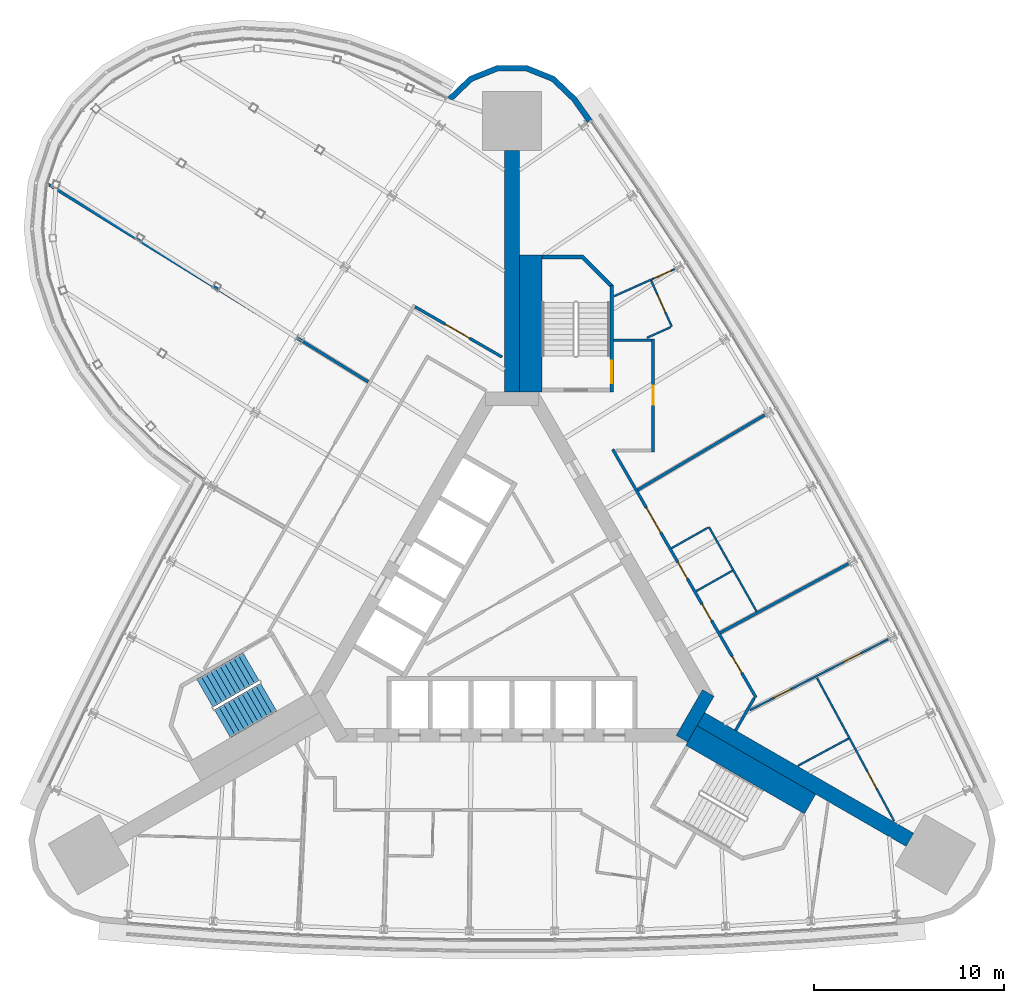
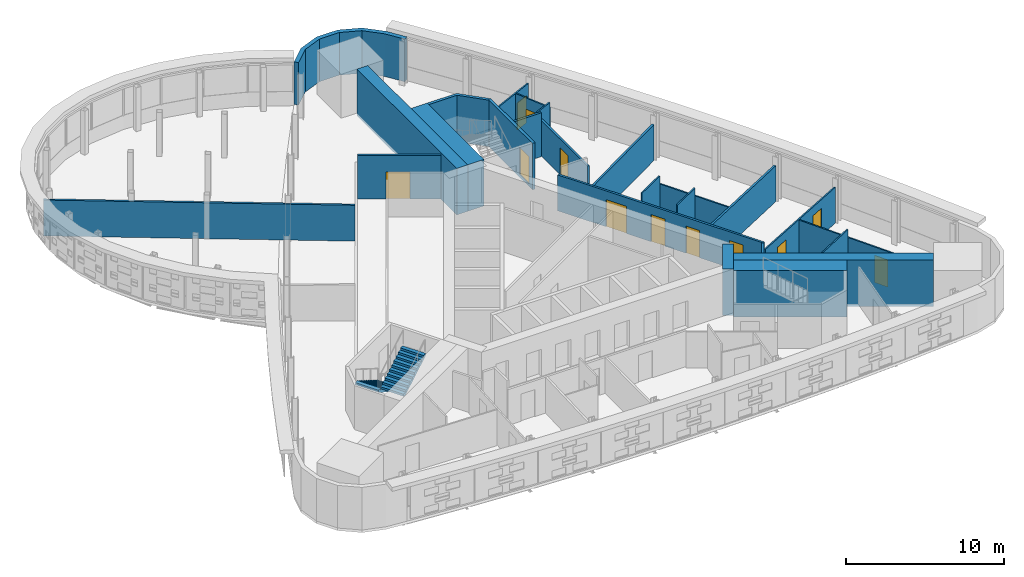
# One storey, part 13 of 17: 25 walls, 12 doors, 2 stair flights, 12 openings, 1 element without a shape of its own.
"""IFC4 building model written with IfcOpenShell, lengths in metres."""

from ifc_helpers import new_model, si_unit, direction, frame, frame_2d, origin, place, context, subcontext, project, spatial, polyline, rectangle, outline, extrude, material, layer, layer_set, type_object, element, fill, aggregate, save


model = new_model("IFC4")

# Units and contexts
model_context = context("Model", 3, precision=1e-05, world=origin(), true_north=direction((0.0, 1.0)))
body_context = subcontext(model_context, "Body", "Model", "MODEL_VIEW")
ifc_project = project(units=[si_unit("LENGTHUNIT", "METRE"), si_unit("AREAUNIT", "SQUARE_METRE"), si_unit("VOLUMEUNIT", "CUBIC_METRE"), si_unit("PLANEANGLEUNIT", "RADIAN"), si_unit("MASSUNIT", "GRAM", prefix="KILO")], contexts=[model_context])

# Site, building, storey
site_placement = place(None, origin())
site = spatial("IfcSite", under=ifc_project, at=site_placement, CompositionType="ELEMENT")
building_placement = place(site_placement, origin())
building = spatial("IfcBuilding", under=site, at=building_placement, Name="Noor Cloister Tower", CompositionType="ELEMENT")
storey_placement = place(building_placement, frame((0.0, 0.0, 95.10009765625)))
storey = spatial("IfcBuildingStorey", under=building, at=storey_placement, Name="L24", CompositionType="ELEMENT", Elevation=95.10009765625)

# Walls
ifc_material_1 = material(Name="Concrete C80/95", Category="concrete")
ifc_layer_1 = layer(ifc_material_1, 0.800048828125)
ifc_layer_set_1 = layer_set([ifc_layer_1], Name="Buttress wall 800 C80/95")
wall_type_1 = type_object("IfcWallType", Name="Buttress wall 800 C80/95", PredefinedType="SHEAR", material=ifc_layer_set_1)
wall_1_placement = place(storey_placement, frame((0.0, 11.456298828125, -0.2001953125), z_axis=(0.0, 0.0, 1.0), x_axis=(0.0, 1.0, 0.0)))
element("IfcWall", 1, at=wall_1_placement, inside=storey, type_object=wall_type_1, Name="Buttress wall N L24", PredefinedType="SHEAR", context=body_context, shape_type="SweptSolid", body=[
    extrude(rectangle(XDim=12.677734375, YDim=0.800048828125, at=frame_2d((6.3388671875, 0.0))), origin(), (0.0, 0.0, 1.0), 3.60009765625),
])
wall_2_placement = place(storey_placement, frame((9.921630859375, -5.728271484375, -0.2001953125), z_axis=(0.0, 0.0, 1.0), x_axis=(0.866029086277, -0.499993621681, 0.0)))
element("IfcWall", 2, at=wall_2_placement, inside=storey, type_object=wall_type_1, Name="Buttress wall SE L24", PredefinedType="SHEAR", context=body_context, shape_type="SweptSolid", body=[
    extrude(rectangle(XDim=12.677490234375, YDim=0.800048828125, at=frame_2d((6.3388671875, 0.0))), origin(), (0.0, 0.0, 1.0), 3.60009765625),
])
ifc_material_2 = material(Name="Concrete C80/95", Category="concrete")
ifc_layer_2 = layer(ifc_material_2, 0.699951171875)
ifc_layer_set_2 = layer_set([ifc_layer_2], Name="Core wall 700 C80/95")
wall_type_2 = type_object("IfcWallType", Name="Core wall 700 C80/95", PredefinedType="SHEAR", material=ifc_layer_set_2)
wall_3_placement = place(storey_placement, frame((8.925537109375, -6.753173828125, -0.2001953125), z_axis=(0.0, 0.0, 1.0), x_axis=(0.500042739161, 0.866000726912, 0.0)))
element("IfcWall", 3, at=wall_3_placement, inside=storey, type_object=wall_type_2, Name="Core wall L24 2", PredefinedType="SHEAR", context=body_context, shape_type="SweptSolid", body=[
    extrude(rectangle(XDim=2.771240234375, YDim=0.699951171875, at=frame_2d((1.3857421875, 0.0))), origin(), (0.0, 0.0, 1.0), 3.60009765625),
])

# Wall, openings, doors
ifc_material_3 = material(Name="Gypsum board partition on steel studs, 150 mm", Category="steel")
ifc_layer_3 = layer(ifc_material_3, 0.14990234375)
ifc_layer_set_3 = layer_set([ifc_layer_3], Name="Flat wall 150")
wall_type_3 = type_object("IfcWallType", Name="Flat wall 150", PredefinedType="PARTITIONING", material=ifc_layer_set_3)
wall_4_placement = place(storey_placement, frame((5.28857421875, 8.4462890625, 0.0), z_axis=(0.0, 0.0, 1.0), x_axis=(0.499996620721, -0.866027354803, 0.0)))
wall_4 = element("IfcWall", 4, at=wall_4_placement, inside=storey, type_object=wall_type_3, Name="Flat wall 150 L24 003", PredefinedType="PARTITIONING", context=body_context, shape_type="SweptSolid", body=[
    extrude(rectangle(XDim=15.056640625, YDim=0.14990234375, at=frame_2d((7.5283203125, 0.0))), origin(), (0.0, 0.0, 1.0), 2.77783203125),
])
opening_1_placement = place(wall_4_placement, frame((12.56640625, 0.0, 0.0)))
opening_1 = element("IfcOpeningElement", 5, at=opening_1_placement, cuts=wall_4, Name="Opening L24-004", PredefinedType="OPENING", context=body_context, shape_type="SweptSolid", body=[
    extrude(rectangle(XDim=1.0, YDim=2.10009765625, at=frame_2d((0.5, 1.050048828125))), frame((0.0, 0.0849609375, 0.0), z_axis=(0.0, -1.0, 0.0), x_axis=(1.0, 0.0, 0.0)), (0.0, 0.0, 1.0), 0.169921875),
])
opening_2_placement = place(wall_4_placement, frame((9.39501953125, 0.0, 0.0)))
opening_2 = element("IfcOpeningElement", 6, at=opening_2_placement, cuts=wall_4, Name="Opening L24-005", PredefinedType="OPENING", context=body_context, shape_type="SweptSolid", body=[
    extrude(rectangle(XDim=1.0, YDim=2.10009765625, at=frame_2d((0.5, 1.050048828125))), frame((0.0, 0.0849609375, 0.0), z_axis=(0.0, -1.0, 0.0), x_axis=(1.0, 0.0, 0.0)), (0.0, 0.0, 1.0), 0.169921875),
])
opening_3_placement = place(wall_4_placement, frame((6.845458984375, 0.0, 0.0)))
opening_3 = element("IfcOpeningElement", 7, at=opening_3_placement, cuts=wall_4, Name="Opening L24-006", PredefinedType="OPENING", context=body_context, shape_type="SweptSolid", body=[
    extrude(rectangle(XDim=1.0, YDim=2.10009765625, at=frame_2d((0.5, 1.050048828125))), frame((0.0, 0.0849609375, 0.0), z_axis=(0.0, -1.0, 0.0), x_axis=(1.0, 0.0, 0.0)), (0.0, 0.0, 1.0), 0.169921875),
])
opening_4_placement = place(wall_4_placement, frame((3.537353515625, 0.0, 0.0)))
opening_4 = element("IfcOpeningElement", 8, at=opening_4_placement, cuts=wall_4, Name="Opening L24-007", PredefinedType="OPENING", context=body_context, shape_type="SweptSolid", body=[
    extrude(rectangle(XDim=1.5, YDim=2.10009765625, at=frame_2d((0.75, 1.050048828125))), frame((0.0, 0.0849609375, 0.0), z_axis=(0.0, -1.0, 0.0), x_axis=(1.0, 0.0, 0.0)), (0.0, 0.0, 1.0), 0.169921875),
])
ifc_material_4 = material(Name="Timber door leaf with steel frame", Category="steel")
door_type_1 = type_object("IfcDoorType", Name="Accessible WC door 1000", OperationType="NOTDEFINED", PredefinedType="DOOR", material=ifc_material_4)
door_1_placement = place(opening_2_placement, origin())
door_1 = element("IfcDoor", 9, at=door_1_placement, inside=storey, type_object=door_type_1, Name="Accessible WC door 1000 L24-005", OperationType="SINGLE_SWING_RIGHT", OverallHeight=2.10009765625, OverallWidth=1.0, PredefinedType="DOOR", context=body_context, shape_type="SweptSolid", body=[
    extrude(rectangle(XDim=1.0, YDim=2.10009765625, at=frame_2d((0.5, 1.050048828125))), frame((0.0, 0.02490234375, 0.0), z_axis=(0.0, -1.0, 0.0), x_axis=(1.0, 0.0, 0.0)), (0.0, 0.0, 1.0), 0.050048828125),
])
fill(opening_2, door_1)
ifc_material_5 = material(Name="Timber door leaf with steel frame", Category="steel")
door_type_2 = type_object("IfcDoorType", Name="Double door 1500 FD60", OperationType="NOTDEFINED", PredefinedType="DOOR", material=ifc_material_5)
door_2_placement = place(opening_4_placement, origin())
door_2 = element("IfcDoor", 10, at=door_2_placement, inside=storey, type_object=door_type_2, Name="Double door 1500 L24-007", OperationType="DOUBLE_DOOR_SINGLE_SWING", OverallHeight=2.10009765625, OverallWidth=1.5, PredefinedType="DOOR", context=body_context, shape_type="SweptSolid", body=[
    extrude(rectangle(XDim=1.5, YDim=2.10009765625, at=frame_2d((0.75, 1.050048828125))), frame((0.0, 0.02490234375, 0.0), z_axis=(0.0, -1.0, 0.0), x_axis=(1.0, 0.0, 0.0)), (0.0, 0.0, 1.0), 0.050048828125),
])
fill(opening_4, door_2)
ifc_material_6 = material(Name="Timber door leaf with steel frame", Category="steel")
door_type_3 = type_object("IfcDoorType", Name="Flat entrance door 1000 FD60S", OperationType="NOTDEFINED", PredefinedType="DOOR", material=ifc_material_6)
door_3_placement = place(opening_1_placement, origin())
door_3 = element("IfcDoor", 11, at=door_3_placement, inside=storey, type_object=door_type_3, Name="Flat entrance door 1000 L24-004", OperationType="SINGLE_SWING_RIGHT", OverallHeight=2.10009765625, OverallWidth=1.0, PredefinedType="DOOR", context=body_context, shape_type="SweptSolid", body=[
    extrude(rectangle(XDim=1.0, YDim=2.10009765625, at=frame_2d((0.5, 1.050048828125))), frame((0.0, 0.02490234375, 0.0), z_axis=(0.0, -1.0, 0.0), x_axis=(1.0, 0.0, 0.0)), (0.0, 0.0, 1.0), 0.050048828125),
])
fill(opening_1, door_3)
ifc_material_7 = material(Name="Timber door leaf with steel frame", Category="steel")
door_type_4 = type_object("IfcDoorType", Name="Interior door 1000 FD60", OperationType="NOTDEFINED", PredefinedType="DOOR", material=ifc_material_7)
door_4_placement = place(opening_3_placement, origin())
door_4 = element("IfcDoor", 12, at=door_4_placement, inside=storey, type_object=door_type_4, Name="Interior door 1000 L24-006", OperationType="SINGLE_SWING_LEFT", OverallHeight=2.10009765625, OverallWidth=1.0, PredefinedType="DOOR", context=body_context, shape_type="SweptSolid", body=[
    extrude(rectangle(XDim=1.0, YDim=2.10009765625, at=frame_2d((0.5, 1.050048828125))), frame((0.0, 0.02490234375, 0.0), z_axis=(0.0, -1.0, 0.0), x_axis=(1.0, 0.0, 0.0)), (0.0, 0.0, 1.0), 0.050048828125),
])
fill(opening_3, door_4)

# Wall, opening, door
wall_5_placement = place(storey_placement, frame((7.41064453125, 14.25634765625, 0.0), z_axis=(0.0, 0.0, 1.0), x_axis=(0.0, -1.0, 0.0)))
wall_5 = element("IfcWall", 13, at=wall_5_placement, inside=storey, type_object=wall_type_3, Name="Flat wall 150 L24 006", PredefinedType="PARTITIONING", context=body_context, shape_type="SweptSolid", body=[
    extrude(rectangle(XDim=5.949951171875, YDim=0.14990234375, at=frame_2d((2.97509765625, 0.0))), origin(), (0.0, 0.0, 1.0), 2.77783203125),
])
opening_5_placement = place(wall_5_placement, frame((2.47509765625, 0.0, 0.0)))
opening_5 = element("IfcOpeningElement", 14, at=opening_5_placement, cuts=wall_5, Name="Opening L24-011", PredefinedType="OPENING", context=body_context, shape_type="SweptSolid", body=[
    extrude(rectangle(XDim=1.0, YDim=2.10009765625, at=frame_2d((0.5, 1.050048828125))), frame((0.0, 0.0849609375, 0.0), z_axis=(0.0, -1.0, 0.0), x_axis=(1.0, 0.0, 0.0)), (0.0, 0.0, 1.0), 0.169921875),
])
door_5_placement = place(opening_5_placement, origin())
door_5 = element("IfcDoor", 15, at=door_5_placement, inside=storey, type_object=door_type_3, Name="Flat entrance door 1000 L24-011", OperationType="SINGLE_SWING_RIGHT", OverallHeight=2.10009765625, OverallWidth=1.0, PredefinedType="DOOR", context=body_context, shape_type="SweptSolid", body=[
    extrude(rectangle(XDim=1.0, YDim=2.10009765625, at=frame_2d((0.5, 1.050048828125))), frame((0.0, 0.02490234375, 0.0), z_axis=(0.0, -1.0, 0.0), x_axis=(1.0, 0.0, 0.0)), (0.0, 0.0, 1.0), 0.050048828125),
])
fill(opening_5, door_5)

wall_6_placement = place(storey_placement, frame((-5.093017578125, 15.93505859375, 0.0), z_axis=(0.0, 0.0, 1.0), x_axis=(0.866033195618, -0.499986503906, 0.0)))
wall_6 = element("IfcWall", 16, at=wall_6_placement, inside=storey, type_object=wall_type_3, Name="Flat wall 150 L24 007", PredefinedType="PARTITIONING", context=body_context, shape_type="SweptSolid", body=[
    extrude(rectangle(XDim=5.282470703125, YDim=0.14990234375, at=frame_2d((2.64111328125, 0.0))), origin(), (0.0, 0.0, 1.0), 3.39990234375),
])
opening_6_placement = place(wall_6_placement, frame((1.816162109375, 0.0, 0.0)))
opening_6 = element("IfcOpeningElement", 17, at=opening_6_placement, cuts=wall_6, Name="Opening L24-012", PredefinedType="OPENING", context=body_context, shape_type="SweptSolid", body=[
    extrude(rectangle(XDim=1.5, YDim=2.10009765625, at=frame_2d((0.75, 1.050048828125))), frame((0.0, 0.0849609375, 0.0), z_axis=(0.0, -1.0, 0.0), x_axis=(1.0, 0.0, 0.0)), (0.0, 0.0, 1.0), 0.169921875),
])
door_6_placement = place(opening_6_placement, origin())
door_6 = element("IfcDoor", 18, at=door_6_placement, inside=storey, type_object=door_type_2, Name="Double door 1500 L24-012", OperationType="DOUBLE_DOOR_SINGLE_SWING", OverallHeight=2.10009765625, OverallWidth=1.5, PredefinedType="DOOR", context=body_context, shape_type="SweptSolid", body=[
    extrude(rectangle(XDim=1.5, YDim=2.10009765625, at=frame_2d((0.75, 1.050048828125))), frame((0.0, 0.02490234375, 0.0), z_axis=(0.0, -1.0, 0.0), x_axis=(1.0, 0.0, 0.0)), (0.0, 0.0, 1.0), 0.050048828125),
])
fill(opening_6, door_6)

# Walls
wall_7_placement = place(storey_placement, frame((5.335693359375, 14.181396484375, 0.0), z_axis=(0.0, 0.0, 1.0), x_axis=(1.0, 0.0, 0.0)))
element("IfcWall", 19, at=wall_7_placement, inside=storey, type_object=wall_type_3, Name="Flat wall 150 L24 009", PredefinedType="PARTITIONING", context=body_context, shape_type="SweptSolid", body=[
    extrude(rectangle(XDim=2.0, YDim=0.14990234375, at=frame_2d((1.0, 0.0))), origin(), (0.0, 0.0, 1.0), 3.39990234375),
])
wall_8_placement = place(storey_placement, frame((11.745361328125, -6.3193359375, 0.0), z_axis=(0.0, 0.0, 1.0), x_axis=(0.500012721296, 0.866018059016, 0.0)))
element("IfcWall", 20, at=wall_8_placement, inside=storey, type_object=wall_type_3, Name="Flat wall 150 L24 012", PredefinedType="PARTITIONING", context=body_context, shape_type="SweptSolid", body=[
    extrude(rectangle(XDim=1.9658203125, YDim=0.14990234375, at=frame_2d((0.98291015625, 0.0))), origin(), (0.0, 0.0, 1.0), 2.77783203125),
])
wall_9_placement = place(storey_placement, frame((-24.360595703125, 22.36767578125, 0.0), z_axis=(0.0, 0.0, 1.0), x_axis=(0.850884423776, -0.525352926494, 0.0)))
element("IfcWall", 21, at=wall_9_placement, inside=storey, type_object=wall_type_3, Name="Flat wall 150 L24 016", PredefinedType="PARTITIONING", context=body_context, shape_type="SweptSolid", body=[
    extrude(rectangle(XDim=19.7587890625, YDim=0.14990234375, at=frame_2d((9.87939453125, 0.0))), origin(), (0.0, 0.0, 1.0), 2.77783203125),
])
wall_10_placement = place(storey_placement, frame((13.269287109375, 10.25, 0.0), z_axis=(0.0, 0.0, 1.0), x_axis=(-0.861057776749, -0.508507133775, 0.0)))
element("IfcWall", 22, at=wall_10_placement, inside=storey, type_object=wall_type_3, Name="Flat wall 150 L24 017", PredefinedType="PARTITIONING", context=body_context, shape_type="SweptSolid", body=[
    extrude(rectangle(XDim=7.738037109375, YDim=0.14990234375, at=frame_2d((3.869140625, 0.0))), origin(), (0.0, 0.0, 1.0), 2.77783203125),
])
wall_11_placement = place(storey_placement, frame((17.676513671875, 2.439697265625, 0.0), z_axis=(0.0, 0.0, 1.0), x_axis=(-0.880400392736, -0.47423111293, 0.0)))
element("IfcWall", 23, at=wall_11_placement, inside=storey, type_object=wall_type_3, Name="Flat wall 150 L24 018", PredefinedType="PARTITIONING", context=body_context, shape_type="SweptSolid", body=[
    extrude(rectangle(XDim=7.651123046875, YDim=0.14990234375, at=frame_2d((3.82568359375, 0.0))), origin(), (0.0, 0.0, 1.0), 2.77783203125),
])
ifc_material_8 = material(Name="Limestone", Category="masonry")
ifc_layer_4 = layer(ifc_material_8, 0.300048828125)
ifc_layer_set_4 = layer_set([ifc_layer_4], Name="Limestone cladding 300")
wall_type_4 = type_object("IfcWallType", Name="Limestone cladding 300", PredefinedType="NOTDEFINED", material=ifc_layer_set_4)
wall_12_placement = place(storey_placement, origin())
element("IfcWall", 24, at=wall_12_placement, inside=storey, type_object=wall_type_4, Name="Limestone pier cladding L24 3.1", PredefinedType="NOTDEFINED", context=body_context, shape_type="SweptSolid", body=[
    extrude(outline(polyline([(4.204833984375, 25.77978515625), (3.37548828125, 26.95263671875), (2.240478515625, 28.035400390625), (0.784423828125, 28.61865234375), (-0.784423828125, 28.61865234375), (-2.240478515625, 28.035400390625), (-3.37548828125, 26.95263671875), (-3.16845703125, 26.735595703125), (-2.075439453125, 27.778564453125), (-0.7265625, 28.31884765625), (0.7265625, 28.31884765625), (2.075439453125, 27.778564453125), (3.1474609375, 26.755615234375), (3.959716796875, 25.6064453125), (4.204833984375, 25.77978515625)])), origin(), (0.0, 0.0, 1.0), 3.2998046875),
])

# Wall, opening, door
ifc_material_9 = material(Name="Gypsum board partition on steel studs, 100 mm", Category="steel")
ifc_layer_5 = layer(ifc_material_9, 0.10009765625)
ifc_layer_set_5 = layer_set([ifc_layer_5], Name="Partition 100")
wall_type_5 = type_object("IfcWallType", Name="Partition 100", PredefinedType="PARTITIONING", material=ifc_layer_set_5)
wall_13_placement = place(storey_placement, frame((20.072509765625, -11.077880859375, 0.0), z_axis=(0.0, 0.0, 1.0), x_axis=(-0.474207115322, 0.880413318719, 0.0)))
wall_13 = element("IfcWall", 25, at=wall_13_placement, inside=storey, type_object=wall_type_5, Name="Partition 100 L24 023", PredefinedType="PARTITIONING", context=body_context, shape_type="SweptSolid", body=[
    extrude(rectangle(XDim=8.54833984375, YDim=0.10009765625, at=frame_2d((4.274169921875, 0.0))), origin(), (0.0, 0.0, 1.0), 2.77783203125),
])
opening_7_placement = place(wall_13_placement, frame((1.94921875, 0.0, 0.0)))
opening_7 = element("IfcOpeningElement", 26, at=opening_7_placement, cuts=wall_13, Name="Opening L24-014", PredefinedType="OPENING", context=body_context, shape_type="SweptSolid", body=[
    extrude(rectangle(XDim=1.0, YDim=2.10009765625, at=frame_2d((0.5, 1.050048828125))), frame((0.0, 0.06005859375, 0.0), z_axis=(0.0, -1.0, 0.0), x_axis=(1.0, 0.0, 0.0)), (0.0, 0.0, 1.0), 0.1201171875),
])
ifc_material_10 = material(Name="Timber door leaf with steel frame", Category="steel")
door_type_5 = type_object("IfcDoorType", Name="Interior door 1000", OperationType="NOTDEFINED", PredefinedType="DOOR", material=ifc_material_10)
door_7_placement = place(opening_7_placement, origin())
door_7 = element("IfcDoor", 27, at=door_7_placement, inside=storey, type_object=door_type_5, Name="Interior door 1000 L24-014", OperationType="SINGLE_SWING_LEFT", OverallHeight=2.10009765625, OverallWidth=1.0, PredefinedType="DOOR", context=body_context, shape_type="SweptSolid", body=[
    extrude(rectangle(XDim=1.0, YDim=2.10009765625, at=frame_2d((0.5, 1.050048828125))), frame((0.0, 0.02490234375, 0.0), z_axis=(0.0, -1.0, 0.0), x_axis=(1.0, 0.0, 0.0)), (0.0, 0.0, 1.0), 0.050048828125),
])
fill(opening_7, door_7)

# Wall, openings, doors
wall_14_placement = place(storey_placement, frame((19.763916015625, -1.52880859375, 0.0), z_axis=(0.0, 0.0, 1.0), x_axis=(-0.889562755555, -0.456812985728, 0.0)))
wall_14 = element("IfcWall", 28, at=wall_14_placement, inside=storey, type_object=wall_type_5, Name="Partition 100 L24 024", PredefinedType="PARTITIONING", context=body_context, shape_type="SweptSolid", body=[
    extrude(rectangle(XDim=8.177490234375, YDim=0.10009765625, at=frame_2d((4.0888671875, 0.0))), origin(), (0.0, 0.0, 1.0), 2.77783203125),
])
opening_8_placement = place(wall_14_placement, frame((5.741943359375, 0.0, 0.0)))
opening_8 = element("IfcOpeningElement", 29, at=opening_8_placement, cuts=wall_14, Name="Opening L24-015", PredefinedType="OPENING", context=body_context, shape_type="SweptSolid", body=[
    extrude(rectangle(XDim=1.0, YDim=2.10009765625, at=frame_2d((0.5, 1.050048828125))), frame((0.0, 0.06005859375, 0.0), z_axis=(0.0, -1.0, 0.0), x_axis=(1.0, 0.0, 0.0)), (0.0, 0.0, 1.0), 0.1201171875),
])
opening_9_placement = place(wall_14_placement, frame((1.634521484375, 0.0, 0.0)))
opening_9 = element("IfcOpeningElement", 30, at=opening_9_placement, cuts=wall_14, Name="Opening L24-016", PredefinedType="OPENING", context=body_context, shape_type="SweptSolid", body=[
    extrude(rectangle(XDim=1.0, YDim=2.10009765625, at=frame_2d((0.5, 1.050048828125))), frame((0.0, 0.06005859375, 0.0), z_axis=(0.0, -1.0, 0.0), x_axis=(1.0, 0.0, 0.0)), (0.0, 0.0, 1.0), 0.1201171875),
])
door_8_placement = place(opening_8_placement, origin())
door_8 = element("IfcDoor", 31, at=door_8_placement, inside=storey, type_object=door_type_5, Name="Interior door 1000 L24-015", OperationType="SINGLE_SWING_RIGHT", OverallHeight=2.10009765625, OverallWidth=1.0, PredefinedType="DOOR", context=body_context, shape_type="SweptSolid", body=[
    extrude(rectangle(XDim=1.0, YDim=2.10009765625, at=frame_2d((0.5, 1.050048828125))), frame((0.0, 0.02490234375, 0.0), z_axis=(0.0, -1.0, 0.0), x_axis=(1.0, 0.0, 0.0)), (0.0, 0.0, 1.0), 0.050048828125),
])
fill(opening_8, door_8)
door_9_placement = place(opening_9_placement, origin())
door_9 = element("IfcDoor", 32, at=door_9_placement, inside=storey, type_object=door_type_5, Name="Interior door 1000 L24-016", OperationType="SINGLE_SWING_LEFT", OverallHeight=2.10009765625, OverallWidth=1.0, PredefinedType="DOOR", context=body_context, shape_type="SweptSolid", body=[
    extrude(rectangle(XDim=1.0, YDim=2.10009765625, at=frame_2d((0.5, 1.050048828125))), frame((0.0, 0.02490234375, 0.0), z_axis=(0.0, -1.0, 0.0), x_axis=(1.0, 0.0, 0.0)), (0.0, 0.0, 1.0), 0.050048828125),
])
fill(opening_9, door_9)

# Wall
wall_15_placement = place(storey_placement, frame((12.85205078125, -0.072509765625, 0.0), z_axis=(0.0, 0.0, 1.0), x_axis=(-0.491453614565, 0.870903751703, 0.0)))
element("IfcWall", 33, at=wall_15_placement, inside=storey, type_object=wall_type_5, Name="Partition 100 L24 027", PredefinedType="PARTITIONING", context=body_context, shape_type="SweptSolid", body=[
    extrude(rectangle(XDim=5.091796875, YDim=0.10009765625, at=frame_2d((2.5458984375, 0.0))), origin(), (0.0, 0.0, 1.0), 2.77783203125),
])

# Wall, opening, door
wall_16_placement = place(storey_placement, frame((5.356201171875, 16.4873046875, 0.0), z_axis=(0.0, 0.0, 1.0), x_axis=(0.912565214453, 0.408931203713, 0.0)))
wall_16 = element("IfcWall", 34, at=wall_16_placement, inside=storey, type_object=wall_type_5, Name="Partition 100 L24 029", PredefinedType="PARTITIONING", context=body_context, shape_type="SweptSolid", body=[
    extrude(rectangle(XDim=3.4853515625, YDim=0.10009765625, at=frame_2d((1.74267578125, 0.0))), origin(), (0.0, 0.0, 1.0), 2.973876953125),
])
opening_10_placement = place(wall_16_placement, frame((2.296630859375, 0.0, 0.0)))
opening_10 = element("IfcOpeningElement", 35, at=opening_10_placement, cuts=wall_16, Name="Opening L24-021", PredefinedType="OPENING", context=body_context, shape_type="SweptSolid", body=[
    extrude(rectangle(XDim=1.0, YDim=2.10009765625, at=frame_2d((0.5, 1.050048828125))), frame((0.0, 0.06005859375, 0.0), z_axis=(0.0, -1.0, 0.0), x_axis=(1.0, 0.0, 0.0)), (0.0, 0.0, 1.0), 0.1201171875),
])
door_10_placement = place(opening_10_placement, origin())
door_10 = element("IfcDoor", 36, at=door_10_placement, inside=storey, type_object=door_type_5, Name="Interior door 1000 L24-021", OperationType="SINGLE_SWING_RIGHT", OverallHeight=2.10009765625, OverallWidth=1.0, PredefinedType="DOOR", context=body_context, shape_type="SweptSolid", body=[
    extrude(rectangle(XDim=1.0, YDim=2.10009765625, at=frame_2d((0.5, 1.050048828125))), frame((0.0, 0.02490234375, 0.0), z_axis=(0.0, -1.0, 0.0), x_axis=(1.0, 0.0, 0.0)), (0.0, 0.0, 1.0), 0.050048828125),
])
fill(opening_10, door_10)

# Wall
wall_17_placement = place(storey_placement, frame((17.681884765625, -6.7451171875, 0.0), z_axis=(0.0, 0.0, 1.0), x_axis=(-0.880419251007, -0.474196101267, 0.0)))
element("IfcWall", 37, at=wall_17_placement, inside=storey, type_object=wall_type_5, Name="Partition 100 L24 031", PredefinedType="PARTITIONING", context=body_context, shape_type="SweptSolid", body=[
    extrude(rectangle(XDim=3.024169921875, YDim=0.10009765625, at=frame_2d((1.51220703125, 0.0))), origin(), (0.0, 0.0, 1.0), 3.39990234375),
])

# Wall, opening, door
wall_18_placement = place(storey_placement, frame((8.39501953125, 14.890380859375, 0.0), z_axis=(0.0, 0.0, 1.0), x_axis=(-0.408965961138, 0.912549638448, 0.0)))
wall_18 = element("IfcWall", 38, at=wall_18_placement, inside=storey, type_object=wall_type_5, Name="Partition 100 L24 033", PredefinedType="PARTITIONING", context=body_context, shape_type="SweptSolid", body=[
    extrude(rectangle(XDim=2.64990234375, YDim=0.10009765625, at=frame_2d((1.324951171875, 0.0))), origin(), (0.0, 0.0, 1.0), 2.973876953125),
])
opening_11_placement = place(wall_18_placement, frame((0.85009765625, 0.0, 0.0)))
opening_11 = element("IfcOpeningElement", 39, at=opening_11_placement, cuts=wall_18, Name="Opening L24-023", PredefinedType="OPENING", context=body_context, shape_type="SweptSolid", body=[
    extrude(rectangle(XDim=1.0, YDim=2.10009765625, at=frame_2d((0.5, 1.050048828125))), frame((0.0, 0.06005859375, 0.0), z_axis=(0.0, -1.0, 0.0), x_axis=(1.0, 0.0, 0.0)), (0.0, 0.0, 1.0), 0.1201171875),
])
door_11_placement = place(opening_11_placement, origin())
door_11 = element("IfcDoor", 40, at=door_11_placement, inside=storey, type_object=door_type_5, Name="Interior door 1000 L24-023", OperationType="SINGLE_SWING_RIGHT", OverallHeight=2.10009765625, OverallWidth=1.0, PredefinedType="DOOR", context=body_context, shape_type="SweptSolid", body=[
    extrude(rectangle(XDim=1.0, YDim=2.10009765625, at=frame_2d((0.5, 1.050048828125))), frame((0.0, 0.02490234375, 0.0), z_axis=(0.0, -1.0, 0.0), x_axis=(1.0, 0.0, 0.0)), (0.0, 0.0, 1.0), 0.050048828125),
])
fill(opening_11, door_11)

# Walls
wall_19_placement = place(storey_placement, frame((10.305908203125, 4.33740234375, 0.0), z_axis=(0.0, 0.0, 1.0), x_axis=(-0.870909527441, -0.491443379253, 0.0)))
element("IfcWall", 41, at=wall_19_placement, inside=storey, type_object=wall_type_5, Name="Partition 100 L24 037", PredefinedType="PARTITIONING", context=body_context, shape_type="SweptSolid", body=[
    extrude(rectangle(XDim=2.215087890625, YDim=0.10009765625, at=frame_2d((1.107421875, 0.0))), origin(), (0.0, 0.0, 1.0), 3.39990234375),
])
wall_20_placement = place(storey_placement, frame((11.583740234375, 2.072998046875, 0.0), z_axis=(0.0, 0.0, 1.0), x_axis=(-0.870892816927, -0.491472991552, 0.0)))
element("IfcWall", 42, at=wall_20_placement, inside=storey, type_object=wall_type_5, Name="Partition 100 L24 038", PredefinedType="PARTITIONING", context=body_context, shape_type="SweptSolid", body=[
    extrude(rectangle(XDim=2.189697265625, YDim=0.10009765625, at=frame_2d((1.0947265625, 0.0))), origin(), (0.0, 0.0, 1.0), 3.39990234375),
])
wall_21_placement = place(storey_placement, frame((7.082275390625, 14.302001953125, 0.0), z_axis=(0.0, 0.0, 1.0), x_axis=(0.912545530992, 0.408975126221, 0.0)))
element("IfcWall", 43, at=wall_21_placement, inside=storey, type_object=wall_type_5, Name="Partition 100 L24 039", PredefinedType="PARTITIONING", context=body_context, shape_type="SweptSolid", body=[
    extrude(rectangle(XDim=1.388427734375, YDim=0.10009765625, at=frame_2d((0.6943359375, 0.0))), origin(), (0.0, 0.0, 1.0), 3.39990234375),
])
ifc_material_11 = material(Name="Concrete C80/95", Category="concrete")
ifc_layer_6 = layer(ifc_material_11, 1.18603515625)
ifc_layer_set_6 = layer_set([ifc_layer_6], Name="Stair enclosure wall 1186 C80/95")
wall_type_6 = type_object("IfcWallType", Name="Stair enclosure wall 1186 C80/95", PredefinedType="SHEAR", material=ifc_layer_set_6)
wall_22_placement = place(storey_placement, frame((0.992919921875, 11.456298828125, -0.2001953125), z_axis=(0.0, 0.0, 1.0), x_axis=(0.0, 1.0, 0.0)))
element("IfcWall", 44, at=wall_22_placement, inside=storey, type_object=wall_type_6, Name="Stair enclosure wall ST1 L24 riser side", PredefinedType="SHEAR", context=body_context, shape_type="SweptSolid", body=[
    extrude(rectangle(XDim=7.2001953125, YDim=1.185546875, at=frame_2d((3.60009765625, 0.0))), origin(), (0.0, 0.0, 1.0), 3.60009765625),
])
wall_23_placement = place(storey_placement, frame((9.425048828125, -6.587890625, -0.2001953125), z_axis=(0.0, 0.0, 1.0), x_axis=(0.866018442252, -0.500012057535, 0.0)))
element("IfcWall", 45, at=wall_23_placement, inside=storey, type_object=wall_type_6, Name="Stair enclosure wall ST3 L24 riser side", PredefinedType="SHEAR", context=body_context, shape_type="SweptSolid", body=[
    extrude(rectangle(XDim=7.199951171875, YDim=1.185546875, at=frame_2d((3.60009765625, 0.0))), origin(), (0.0, 0.0, 1.0), 3.60009765625),
])

# Wall, opening, door
ifc_material_12 = material(Name="Concrete C80/95", Category="concrete")
ifc_layer_7 = layer(ifc_material_12, 0.199951171875)
ifc_layer_set_7 = layer_set([ifc_layer_7], Name="Stair enclosure wall 200 C80/95")
wall_type_7 = type_object("IfcWallType", Name="Stair enclosure wall 200 C80/95", PredefinedType="SHEAR", material=ifc_layer_set_7)
wall_24_placement = place(storey_placement, frame((5.235595703125, 11.456298828125, -0.2001953125), z_axis=(0.0, 0.0, 1.0), x_axis=(0.0, 1.0, 0.0)))
wall_24 = element("IfcWall", 46, at=wall_24_placement, inside=storey, type_object=wall_type_7, Name="Stair enclosure wall ST1 L24 outer side", PredefinedType="SHEAR", context=body_context, shape_type="SweptSolid", body=[
    extrude(rectangle(XDim=5.60009765625, YDim=0.199951171875, at=frame_2d((2.800048828125, 0.0))), origin(), (0.0, 0.0, 1.0), 3.60009765625),
])
opening_12_placement = place(wall_24_placement, frame((0.449951171875, 0.0, 0.199951171875)))
opening_12 = element("IfcOpeningElement", 47, at=opening_12_placement, cuts=wall_24, Name="Opening L24-ST1C", PredefinedType="OPENING", context=body_context, shape_type="SweptSolid", body=[
    extrude(rectangle(XDim=1.199951171875, YDim=2.10009765625, at=frame_2d((0.60009765625, 1.050048828125))), frame((0.0, 0.10986328125, 0.0), z_axis=(0.0, -1.0, 0.0), x_axis=(1.0, 0.0, 0.0)), (0.0, 0.0, 1.0), 0.219970703125),
])
ifc_material_13 = material(Name="Steel", Category="steel")
door_type_6 = type_object("IfcDoorType", Name="Stair door 1200 x 2100 FD120", OperationType="SINGLE_SWING_LEFT", PredefinedType="DOOR", material=ifc_material_13)
door_12_placement = place(opening_12_placement, origin())
door_12 = element("IfcDoor", 48, at=door_12_placement, inside=storey, type_object=door_type_6, Name="Stair door ST1 L24", OperationType="SINGLE_SWING_LEFT", OverallHeight=2.10009765625, OverallWidth=1.199951171875, PredefinedType="DOOR", context=body_context, shape_type="SweptSolid", body=[
    extrude(rectangle(XDim=1.199951171875, YDim=2.10009765625, at=frame_2d((0.60009765625, 1.050048828125))), frame((0.0, 0.02490234375, 0.0), z_axis=(0.0, -1.0, 0.0), x_axis=(1.0, 0.0, 0.0)), (0.0, 0.0, 1.0), 0.050048828125),
])
fill(opening_12, door_12)

# Wall
ifc_material_14 = material(Name="Concrete C80/95", Category="concrete")
wall_type_8 = type_object("IfcWallType", Name="Stair far end wall C80/95", PredefinedType="SHEAR", material=ifc_material_14)
wall_25_placement = place(storey_placement, frame((0.0, 0.0, -0.2001953125)))
element("IfcWall", 49, at=wall_25_placement, inside=storey, type_object=wall_type_8, Name="Stair enclosure wall ST1 L24 far end", PredefinedType="SHEAR", context=body_context, shape_type="SweptSolid", body=[
    extrude(outline(polyline([(5.335693359375, 17.056396484375), (3.735595703125, 18.656494140625), (1.585693359375, 18.656494140625), (1.585693359375, 18.456298828125), (3.65283203125, 18.456298828125), (5.135498046875, 16.9736328125), (5.135498046875, 17.056396484375), (5.135498046875, 17.056396484375), (5.135498046875, 17.056396484375), (5.135498046875, 17.056396484375), (5.135498046875, 17.056396484375), (5.135498046875, 17.056396484375), (5.135498046875, 17.056396484375), (5.135498046875, 17.056396484375), (5.135498046875, 17.056396484375), (5.135498046875, 17.056396484375), (5.135498046875, 17.056396484375), (5.135498046875, 17.056396484375), (5.135498046875, 17.056396484375), (5.135498046875, 17.056396484375), (5.135498046875, 17.056396484375), (5.135498046875, 17.056396484375), (5.135498046875, 17.056396484375), (5.335693359375, 17.056396484375)])), origin(), (0.0, 0.0, 1.0), 3.60009765625),
])

# Stair, stair flights
ifc_material_15 = material(Name="Concrete C40/50", Category="concrete")
stair_type = type_object("IfcStairType", Name="Exit stair 22 risers", PredefinedType="HALF_TURN_STAIR", material=ifc_material_15)
stair_placement = place(storey_placement, origin())
stair = element("IfcStair", 50, at=stair_placement, inside=storey, type_object=stair_type, Name="Exit stair ST2 L24", PredefinedType="HALF_TURN_STAIR")
ifc_material_16 = material(Name="Concrete C40/50", Category="concrete")
stair_flight_type = type_object("IfcStairFlightType", Name="Exit stair flight", PredefinedType="STRAIGHT", material=ifc_material_16)
stair_flight_1_placement = place(storey_placement, frame((-13.709716796875, -2.966796875, 0.0), z_axis=(0.0, 0.0, 1.0), x_axis=(-0.866025403784, -0.5, 0.0)))
stair_flight_1 = element("IfcStairFlight", 51, at=stair_flight_1_placement, type_object=stair_flight_type, Name="ST2 flight 1", NumberOfRisers=11, NumberOfTreads=10, PredefinedType="STRAIGHT", RiserHeight=0.163636364, TreadLength=0.28, context=body_context, shape_type="SweptSolid", body=[
    extrude(outline(polyline([(0.0, 0.0), (0.0, 0.16357421875), (0.280029296875, 0.16357421875), (0.280029296875, 0.327392578125), (0.56005859375, 0.327392578125), (0.56005859375, 0.490966796875), (0.840087890625, 0.490966796875), (0.840087890625, 0.654541015625), (1.1201171875, 0.654541015625), (1.1201171875, 0.818115234375), (1.39990234375, 0.818115234375), (1.39990234375, 0.98193359375), (1.679931640625, 0.98193359375), (1.679931640625, 1.1455078125), (1.9599609375, 1.1455078125), (1.9599609375, 1.30908203125), (2.239990234375, 1.30908203125), (2.239990234375, 1.47265625), (2.52001953125, 1.47265625), (2.52001953125, 1.636474609375), (2.800048828125, 1.636474609375), (2.800048828125, 1.800048828125), (2.800048828125, 1.462646484375), (0.297119140625, 0.0), (0.0, 0.0)])), frame((0.0, 0.85009765625, 0.0), z_axis=(0.0, -1.0, 0.0), x_axis=(1.0, 0.0, 0.0)), (0.0, 0.0, 1.0), 1.699951171875),
])
stair_flight_2_placement = place(storey_placement, frame((-15.209716796875, -5.968994140625, 1.7998046875), z_axis=(0.0, 0.0, 1.0), x_axis=(0.866025403784, 0.5, 0.0)))
stair_flight_2 = element("IfcStairFlight", 52, at=stair_flight_2_placement, type_object=stair_flight_type, Name="ST2 flight 2", NumberOfRisers=11, NumberOfTreads=10, PredefinedType="STRAIGHT", RiserHeight=0.163636364, TreadLength=0.28, context=body_context, shape_type="SweptSolid", body=[
    extrude(outline(polyline([(0.0, 0.0), (0.0, 0.16357421875), (0.280029296875, 0.16357421875), (0.280029296875, 0.327392578125), (0.56005859375, 0.327392578125), (0.56005859375, 0.490966796875), (0.840087890625, 0.490966796875), (0.840087890625, 0.654541015625), (1.1201171875, 0.654541015625), (1.1201171875, 0.818115234375), (1.39990234375, 0.818115234375), (1.39990234375, 0.98193359375), (1.679931640625, 0.98193359375), (1.679931640625, 1.1455078125), (1.9599609375, 1.1455078125), (1.9599609375, 1.30908203125), (2.239990234375, 1.30908203125), (2.239990234375, 1.47265625), (2.52001953125, 1.47265625), (2.52001953125, 1.636474609375), (2.800048828125, 1.636474609375), (2.800048828125, 1.800048828125), (2.800048828125, 1.462646484375), (0.297119140625, 0.0), (0.0, 0.0)])), frame((0.0, 0.85009765625, 0.0), z_axis=(0.0, -1.0, 0.0), x_axis=(1.0, 0.0, 0.0)), (0.0, 0.0, 1.0), 1.699951171875),
])
aggregate(stair, [stair_flight_1, stair_flight_2])

save(model, "model.ifc")
